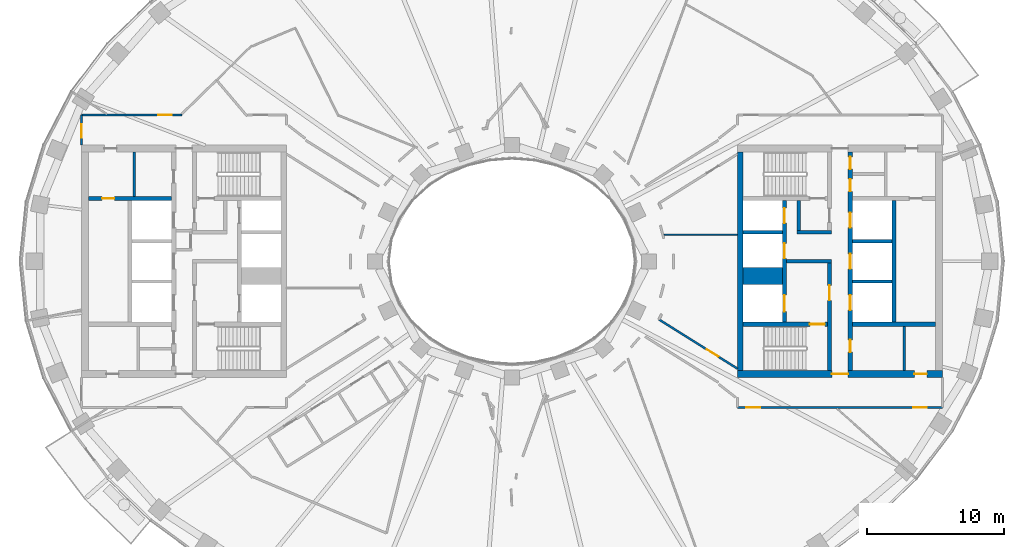
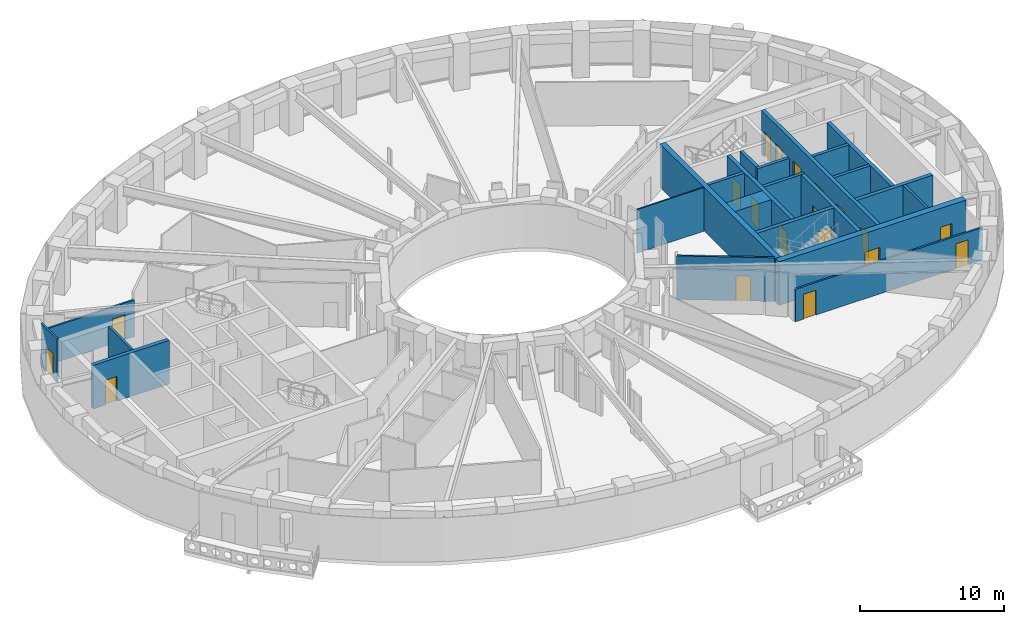
# One storey, part 5 of 16: 23 walls, 19 doors, 19 openings.
"""IFC4 building model written with IfcOpenShell, lengths in metres."""

from ifc_helpers import new_model, si_unit, direction, frame, frame_2d, origin, place, context, subcontext, project, spatial, rectangle, extrude, material, layer, layer_set, type_object, element, fill, save


model = new_model("IFC4")

# Units and contexts
model_context = context("Model", 3, precision=1e-05, world=origin(), true_north=direction((0.0, 1.0)))
body_context = subcontext(model_context, "Body", "Model", "MODEL_VIEW")
ifc_project = project(units=[si_unit("LENGTHUNIT", "METRE"), si_unit("AREAUNIT", "SQUARE_METRE"), si_unit("VOLUMEUNIT", "CUBIC_METRE"), si_unit("PLANEANGLEUNIT", "RADIAN"), si_unit("MASSUNIT", "GRAM", prefix="KILO")], contexts=[model_context])

# Site, building, storey
site_placement = place(None, origin())
site = spatial("IfcSite", under=ifc_project, at=site_placement, CompositionType="ELEMENT")
building_placement = place(site_placement, origin())
building = spatial("IfcBuilding", under=site, at=building_placement, Name="Noorbagh Ring Tower", CompositionType="ELEMENT")
storey_placement = place(building_placement, frame((0.0, 0.0, 150.0)))
storey = spatial("IfcBuildingStorey", under=building, at=storey_placement, Name="L34", CompositionType="ELEMENT", Elevation=150.0)

# Walls
ifc_material_1 = material(Name="Gypsum board on steel studs", Category="steel")
ifc_layer_1 = layer(ifc_material_1, 0.199951171875)
ifc_layer_set_1 = layer_set([ifc_layer_1], Name="Gypsum board on steel studs")
wall_type_1 = type_object("IfcWallType", Name="CORE-PARTITION-200", PredefinedType="PARTITIONING", material=ifc_layer_set_1)
for number, where, z_axis, x_axis, name in (
    (1, (-27.64990234375, 4.75, 0.0), (0.0, 0.0, 1.0), (0.0, 1.0, 0.0), "Core partition W"),
    (2, (28.699951171875, -8.0, 0.0), (0.0, 0.0, 1.0), (0.0, 1.0, 0.0), "Core partition E"),
):
    element("IfcWall", number, at=place(storey_placement, frame(where, z_axis=z_axis, x_axis=x_axis)), inside=storey, type_object=wall_type_1, Name=name, PredefinedType="PARTITIONING", context=body_context, shape_type="SweptSolid", body=[
        extrude(rectangle(XDim=3.25, YDim=0.199951171875, at=frame_2d((1.625, 0.0))), origin(), (0.0, 0.0, 1.0), 3.699951171875),
    ])
ifc_material_2 = material(Name="Concrete C60/75", Category="concrete")
ifc_layer_2 = layer(ifc_material_2, 1.25)
ifc_layer_set_2 = layer_set([ifc_layer_2], Name="Concrete C60/75")
wall_type_2 = type_object("IfcWallType", Name="CORE-WALL-1250-C60-75-EI120", PredefinedType="SHEAR", material=ifc_layer_set_2)
wall_1_placement = place(storey_placement, frame((16.89990234375, -1.074951171875, 0.0), z_axis=(0.0, 0.0, 1.0), x_axis=(1.0, 0.0, 0.0)))
element("IfcWall", 3, at=wall_1_placement, inside=storey, type_object=wall_type_2, Name="Core wall E", PredefinedType="SHEAR", context=body_context, shape_type="SweptSolid", body=[
    extrude(rectangle(XDim=2.900146484375, YDim=1.25, at=frame_2d((1.4501953125, 0.0))), origin(), (0.0, 0.0, 1.0), 3.699951171875),
])
ifc_material_3 = material(Name="Concrete C60/75", Category="concrete")
ifc_layer_3 = layer(ifc_material_3, 0.25)
ifc_layer_set_3 = layer_set([ifc_layer_3], Name="Concrete C60/75")
wall_type_3 = type_object("IfcWallType", Name="CORE-WALL-250-C60-75-EI120", PredefinedType="SHEAR", material=ifc_layer_set_3)
for number, where, z_axis, x_axis, name in (
    (4, (16.89990234375, 2.125, 0.0), (0.0, 0.0, 1.0), (1.0, 0.0, 0.0), "Core wall E"),
    (5, (24.89990234375, -1.47509765625, 0.0), (0.0, 0.0, 1.0), (1.0, 0.0, 0.0), "Core wall E"),
    (6, (24.89990234375, 1.47509765625, 0.0), (0.0, 0.0, 1.0), (1.0, 0.0, 0.0), "Core wall E"),
):
    element("IfcWall", number, at=place(storey_placement, frame(where, z_axis=z_axis, x_axis=x_axis)), inside=storey, type_object=wall_type_3, Name=name, PredefinedType="SHEAR", context=body_context, shape_type="SweptSolid", body=[
        extrude(rectangle(XDim=2.900146484375, YDim=0.25, at=frame_2d((1.4501953125, 0.0))), origin(), (0.0, 0.0, 1.0), 3.699951171875),
    ])
ifc_material_4 = material(Name="Concrete C60/75", Category="concrete")
ifc_layer_4 = layer(ifc_material_4, 0.25)
ifc_layer_set_4 = layer_set([ifc_layer_4], Name="Concrete C60/75")
wall_type_4 = type_object("IfcWallType", Name="CORE-WALL-250-C60-75-EI240", PredefinedType="SHEAR", material=ifc_layer_set_4)
wall_2_placement = place(storey_placement, frame((20.10009765625, 0.0, 0.0), z_axis=(0.0, 0.0, 1.0), x_axis=(1.0, 0.0, 0.0)))
element("IfcWall", 7, at=wall_2_placement, inside=storey, type_object=wall_type_4, Name="Core wall E", PredefinedType="SHEAR", context=body_context, shape_type="SweptSolid", body=[
    extrude(rectangle(XDim=3.27978515625, YDim=0.25, at=frame_2d((1.639892578125, 0.0))), origin(), (0.0, 0.0, 1.0), 3.699951171875),
])
wall_3_placement = place(storey_placement, frame((20.85009765625, 2.125, 0.0), z_axis=(0.0, 0.0, 1.0), x_axis=(1.0, 0.0, 0.0)))
element("IfcWall", 8, at=wall_3_placement, inside=storey, type_object=wall_type_4, Name="Core wall E", PredefinedType="SHEAR", context=body_context, shape_type="SweptSolid", body=[
    extrude(rectangle(XDim=2.52978515625, YDim=0.25, at=frame_2d((1.264892578125, 0.0))), origin(), (0.0, 0.0, 1.0), 3.699951171875),
])
wall_4_placement = place(storey_placement, frame((20.97509765625, 2.25, 0.0), z_axis=(0.0, 0.0, 1.0), x_axis=(0.0, 1.0, 0.0)))
element("IfcWall", 9, at=wall_4_placement, inside=storey, type_object=wall_type_4, Name="Core wall E", PredefinedType="SHEAR", context=body_context, shape_type="SweptSolid", body=[
    extrude(rectangle(XDim=2.199951171875, YDim=0.25, at=frame_2d((1.10009765625, 0.0))), origin(), (0.0, 0.0, 1.0), 3.699951171875),
])
ifc_material_5 = material(Name="Concrete C60/75", Category="concrete")
ifc_layer_5 = layer(ifc_material_5, 0.300048828125)
ifc_layer_set_5 = layer_set([ifc_layer_5], Name="Concrete C60/75")
wall_type_5 = type_object("IfcWallType", Name="CORE-WALL-300-C60-75-EI120", PredefinedType="SHEAR", material=ifc_layer_set_5)
wall_5_placement = place(storey_placement, frame((27.949951171875, -4.449951171875, 0.0), z_axis=(0.0, 0.0, 1.0), x_axis=(0.0, 1.0, 0.0)))
element("IfcWall", 10, at=wall_5_placement, inside=storey, type_object=wall_type_5, Name="Core wall E", PredefinedType="SHEAR", context=body_context, shape_type="SweptSolid", body=[
    extrude(rectangle(XDim=8.89990234375, YDim=0.300048828125, at=frame_2d((4.449951171875, 0.0))), origin(), (0.0, 0.0, 1.0), 3.699951171875),
])

# Wall, openings, doors
wall_6_placement = place(storey_placement, frame((19.949951171875, -4.449951171875, 0.0), z_axis=(0.0, 0.0, 1.0), x_axis=(0.0, 1.0, 0.0)))
wall_6 = element("IfcWall", 11, at=wall_6_placement, inside=storey, type_object=wall_type_5, Name="Core wall E", PredefinedType="SHEAR", context=body_context, shape_type="SweptSolid", body=[
    extrude(rectangle(XDim=8.89990234375, YDim=0.300048828125, at=frame_2d((4.449951171875, 0.0))), origin(), (0.0, 0.0, 1.0), 3.699951171875),
])
opening_1_placement = place(wall_6_placement, frame((0.77490234375, 0.0, 0.0)))
opening_1 = element("IfcOpeningElement", 12, at=opening_1_placement, cuts=wall_6, Name="Opening L34-CE01", PredefinedType="OPENING", context=body_context, shape_type="SweptSolid", body=[
    extrude(rectangle(XDim=1.199951171875, YDim=2.10009765625, at=frame_2d((0.60009765625, 1.050048828125))), frame((0.0, 0.16015625, 0.0), z_axis=(0.0, -1.0, 0.0), x_axis=(1.0, 0.0, 0.0)), (0.0, 0.0, 1.0), 0.320068359375),
])
opening_2_placement = place(wall_6_placement, frame((4.675048828125, 0.0, 0.0)))
opening_2 = element("IfcOpeningElement", 13, at=opening_2_placement, cuts=wall_6, Name="Opening L34-CE02", PredefinedType="OPENING", context=body_context, shape_type="SweptSolid", body=[
    extrude(rectangle(XDim=1.10009765625, YDim=2.10009765625, at=frame_2d((0.550048828125, 1.050048828125))), frame((0.0, 0.16015625, 0.0), z_axis=(0.0, -1.0, 0.0), x_axis=(1.0, 0.0, 0.0)), (0.0, 0.0, 1.0), 0.320068359375),
])
opening_3_placement = place(wall_6_placement, frame((7.25, 0.0, 0.0)))
opening_3 = element("IfcOpeningElement", 14, at=opening_3_placement, cuts=wall_6, Name="Opening L34-CE03", PredefinedType="OPENING", context=body_context, shape_type="SweptSolid", body=[
    extrude(rectangle(XDim=1.10009765625, YDim=2.10009765625, at=frame_2d((0.550048828125, 1.050048828125))), frame((0.0, 0.16015625, 0.0), z_axis=(0.0, -1.0, 0.0), x_axis=(1.0, 0.0, 0.0)), (0.0, 0.0, 1.0), 0.320068359375),
])
ifc_material_6 = material(Name="Steel door leaf", Category="steel")
door_type_1 = type_object("IfcDoorType", Name="CORE-DOOR-LD", OperationType="DOUBLE_DOOR_SLIDING", PredefinedType="DOOR", material=ifc_material_6)
door_1_placement = place(opening_2_placement, origin())
door_1 = element("IfcDoor", 15, at=door_1_placement, inside=storey, type_object=door_type_1, Name="Landing door HR7 L34-CE02", OperationType="DOUBLE_DOOR_SLIDING", OverallHeight=2.10009765625, OverallWidth=1.10009765625, PredefinedType="DOOR", context=body_context, shape_type="SweptSolid", body=[
    extrude(rectangle(XDim=1.10009765625, YDim=2.10009765625, at=frame_2d((0.550048828125, 1.050048828125))), frame((0.0, 0.02490234375, 0.0), z_axis=(0.0, -1.0, 0.0), x_axis=(1.0, 0.0, 0.0)), (0.0, 0.0, 1.0), 0.050048828125),
])
fill(opening_2, door_1)
door_2_placement = place(opening_3_placement, origin())
door_2 = element("IfcDoor", 16, at=door_2_placement, inside=storey, type_object=door_type_1, Name="Landing door HR8 L34-CE03", OperationType="DOUBLE_DOOR_SLIDING", OverallHeight=2.10009765625, OverallWidth=1.10009765625, PredefinedType="DOOR", context=body_context, shape_type="SweptSolid", body=[
    extrude(rectangle(XDim=1.10009765625, YDim=2.10009765625, at=frame_2d((0.550048828125, 1.050048828125))), frame((0.0, 0.02490234375, 0.0), z_axis=(0.0, -1.0, 0.0), x_axis=(1.0, 0.0, 0.0)), (0.0, 0.0, 1.0), 0.050048828125),
])
fill(opening_3, door_2)
ifc_material_7 = material(Name="Steel door leaf", Category="steel")
door_type_2 = type_object("IfcDoorType", Name="CORE-DOOR-LDW", OperationType="DOUBLE_DOOR_SLIDING", PredefinedType="DOOR", material=ifc_material_7)
door_3_placement = place(opening_1_placement, origin())
door_3 = element("IfcDoor", 17, at=door_3_placement, inside=storey, type_object=door_type_2, Name="Landing door FF2 L34-CE01", OperationType="DOUBLE_DOOR_SLIDING", OverallHeight=2.10009765625, OverallWidth=1.199951171875, PredefinedType="DOOR", context=body_context, shape_type="SweptSolid", body=[
    extrude(rectangle(XDim=1.199951171875, YDim=2.10009765625, at=frame_2d((0.60009765625, 1.050048828125))), frame((0.0, 0.02490234375, 0.0), z_axis=(0.0, -1.0, 0.0), x_axis=(1.0, 0.0, 0.0)), (0.0, 0.0, 1.0), 0.050048828125),
])
fill(opening_1, door_3)

wall_7_placement = place(storey_placement, frame((24.75, -8.0, 0.0), z_axis=(0.0, 0.0, 1.0), x_axis=(0.0, 1.0, 0.0)))
wall_7 = element("IfcWall", 18, at=wall_7_placement, inside=storey, type_object=wall_type_5, Name="Core wall E", PredefinedType="SHEAR", context=body_context, shape_type="SweptSolid", body=[
    extrude(rectangle(XDim=16.0, YDim=0.300048828125, at=frame_2d((8.0, 0.0))), origin(), (0.0, 0.0, 1.0), 3.699951171875),
])
opening_4_placement = place(wall_7_placement, frame((4.425048828125, 0.0, 0.0)))
opening_4 = element("IfcOpeningElement", 19, at=opening_4_placement, cuts=wall_7, Name="Opening L34-CE04", PredefinedType="OPENING", context=body_context, shape_type="SweptSolid", body=[
    extrude(rectangle(XDim=1.10009765625, YDim=2.10009765625, at=frame_2d((0.550048828125, 1.050048828125))), frame((0.0, 0.16015625, 0.0), z_axis=(0.0, -1.0, 0.0), x_axis=(1.0, 0.0, 0.0)), (0.0, 0.0, 1.0), 0.320068359375),
])
opening_5_placement = place(wall_7_placement, frame((7.449951171875, 0.0, 0.0)))
opening_5 = element("IfcOpeningElement", 20, at=opening_5_placement, cuts=wall_7, Name="Opening L34-CE05", PredefinedType="OPENING", context=body_context, shape_type="SweptSolid", body=[
    extrude(rectangle(XDim=1.10009765625, YDim=2.10009765625, at=frame_2d((0.550048828125, 1.050048828125))), frame((0.0, 0.16015625, 0.0), z_axis=(0.0, -1.0, 0.0), x_axis=(1.0, 0.0, 0.0)), (0.0, 0.0, 1.0), 0.320068359375),
])
opening_6_placement = place(wall_7_placement, frame((10.47509765625, 0.0, 0.0)))
opening_6 = element("IfcOpeningElement", 21, at=opening_6_placement, cuts=wall_7, Name="Opening L34-CE06", PredefinedType="OPENING", context=body_context, shape_type="SweptSolid", body=[
    extrude(rectangle(XDim=1.10009765625, YDim=2.10009765625, at=frame_2d((0.550048828125, 1.050048828125))), frame((0.0, 0.16015625, 0.0), z_axis=(0.0, -1.0, 0.0), x_axis=(1.0, 0.0, 0.0)), (0.0, 0.0, 1.0), 0.320068359375),
])
opening_7_placement = place(wall_7_placement, frame((13.125, 0.0, 0.0)))
opening_7 = element("IfcOpeningElement", 22, at=opening_7_placement, cuts=wall_7, Name="Opening L34-CE13", PredefinedType="OPENING", context=body_context, shape_type="SweptSolid", body=[
    extrude(rectangle(XDim=0.89990234375, YDim=2.10009765625, at=frame_2d((0.449951171875, 1.050048828125))), frame((0.0, 0.16015625, 0.0), z_axis=(0.0, -1.0, 0.0), x_axis=(1.0, 0.0, 0.0)), (0.0, 0.0, 1.0), 0.320068359375),
])
opening_8_placement = place(wall_7_placement, frame((14.75, 0.0, 0.0)))
opening_8 = element("IfcOpeningElement", 23, at=opening_8_placement, cuts=wall_7, Name="Opening L34-CE14", PredefinedType="OPENING", context=body_context, shape_type="SweptSolid", body=[
    extrude(rectangle(XDim=0.89990234375, YDim=2.10009765625, at=frame_2d((0.449951171875, 1.050048828125))), frame((0.0, 0.16015625, 0.0), z_axis=(0.0, -1.0, 0.0), x_axis=(1.0, 0.0, 0.0)), (0.0, 0.0, 1.0), 0.320068359375),
])
opening_9_placement = place(wall_7_placement, frame((1.35009765625, 0.0, 0.0)))
opening_9 = element("IfcOpeningElement", 24, at=opening_9_placement, cuts=wall_7, Name="Opening L34-CE16", PredefinedType="OPENING", context=body_context, shape_type="SweptSolid", body=[
    extrude(rectangle(XDim=0.89990234375, YDim=2.10009765625, at=frame_2d((0.449951171875, 1.050048828125))), frame((0.0, 0.16015625, 0.0), z_axis=(0.0, -1.0, 0.0), x_axis=(1.0, 0.0, 0.0)), (0.0, 0.0, 1.0), 0.320068359375),
])
ifc_material_8 = material(Name="Steel door leaf", Category="steel")
door_type_3 = type_object("IfcDoorType", Name="CORE-DOOR-DROOM", OperationType="SINGLE_SWING_LEFT", PredefinedType="DOOR", material=ifc_material_8)
door_4_placement = place(opening_7_placement, origin())
door_4 = element("IfcDoor", 25, at=door_4_placement, inside=storey, type_object=door_type_3, Name="Core room door L34-CE13", OperationType="SINGLE_SWING_RIGHT", OverallHeight=2.10009765625, OverallWidth=0.89990234375, PredefinedType="DOOR", context=body_context, shape_type="SweptSolid", body=[
    extrude(rectangle(XDim=0.89990234375, YDim=2.10009765625, at=frame_2d((0.449951171875, 1.050048828125))), frame((0.0, 0.02490234375, 0.0), z_axis=(0.0, -1.0, 0.0), x_axis=(1.0, 0.0, 0.0)), (0.0, 0.0, 1.0), 0.050048828125),
])
fill(opening_7, door_4)
door_5_placement = place(opening_8_placement, origin())
door_5 = element("IfcDoor", 26, at=door_5_placement, inside=storey, type_object=door_type_3, Name="Core room door L34-CE14", OperationType="SINGLE_SWING_LEFT", OverallHeight=2.10009765625, OverallWidth=0.89990234375, PredefinedType="DOOR", context=body_context, shape_type="SweptSolid", body=[
    extrude(rectangle(XDim=0.89990234375, YDim=2.10009765625, at=frame_2d((0.449951171875, 1.050048828125))), frame((0.0, 0.02490234375, 0.0), z_axis=(0.0, -1.0, 0.0), x_axis=(1.0, 0.0, 0.0)), (0.0, 0.0, 1.0), 0.050048828125),
])
fill(opening_8, door_5)
door_6_placement = place(opening_9_placement, origin())
door_6 = element("IfcDoor", 27, at=door_6_placement, inside=storey, type_object=door_type_3, Name="Core room door L34-CE16", OperationType="SINGLE_SWING_RIGHT", OverallHeight=2.10009765625, OverallWidth=0.89990234375, PredefinedType="DOOR", context=body_context, shape_type="SweptSolid", body=[
    extrude(rectangle(XDim=0.89990234375, YDim=2.10009765625, at=frame_2d((0.449951171875, 1.050048828125))), frame((0.0, 0.02490234375, 0.0), z_axis=(0.0, -1.0, 0.0), x_axis=(1.0, 0.0, 0.0)), (0.0, 0.0, 1.0), 0.050048828125),
])
fill(opening_9, door_6)
door_7_placement = place(opening_4_placement, origin())
door_7 = element("IfcDoor", 28, at=door_7_placement, inside=storey, type_object=door_type_1, Name="Landing door HR9 L34-CE04", OperationType="DOUBLE_DOOR_SLIDING", OverallHeight=2.10009765625, OverallWidth=1.10009765625, PredefinedType="DOOR", context=body_context, shape_type="SweptSolid", body=[
    extrude(rectangle(XDim=1.10009765625, YDim=2.10009765625, at=frame_2d((0.550048828125, 1.050048828125))), frame((0.0, 0.02490234375, 0.0), z_axis=(0.0, -1.0, 0.0), x_axis=(1.0, 0.0, 0.0)), (0.0, 0.0, 1.0), 0.050048828125),
])
fill(opening_4, door_7)
door_8_placement = place(opening_5_placement, origin())
door_8 = element("IfcDoor", 29, at=door_8_placement, inside=storey, type_object=door_type_1, Name="Landing door HR10 L34-CE05", OperationType="DOUBLE_DOOR_SLIDING", OverallHeight=2.10009765625, OverallWidth=1.10009765625, PredefinedType="DOOR", context=body_context, shape_type="SweptSolid", body=[
    extrude(rectangle(XDim=1.10009765625, YDim=2.10009765625, at=frame_2d((0.550048828125, 1.050048828125))), frame((0.0, 0.02490234375, 0.0), z_axis=(0.0, -1.0, 0.0), x_axis=(1.0, 0.0, 0.0)), (0.0, 0.0, 1.0), 0.050048828125),
])
fill(opening_5, door_8)
door_9_placement = place(opening_6_placement, origin())
door_9 = element("IfcDoor", 30, at=door_9_placement, inside=storey, type_object=door_type_1, Name="Landing door HR11 L34-CE06", OperationType="DOUBLE_DOOR_SLIDING", OverallHeight=2.10009765625, OverallWidth=1.10009765625, PredefinedType="DOOR", context=body_context, shape_type="SweptSolid", body=[
    extrude(rectangle(XDim=1.10009765625, YDim=2.10009765625, at=frame_2d((0.550048828125, 1.050048828125))), frame((0.0, 0.02490234375, 0.0), z_axis=(0.0, -1.0, 0.0), x_axis=(1.0, 0.0, 0.0)), (0.0, 0.0, 1.0), 0.050048828125),
])
fill(opening_6, door_9)

# Wall, opening, door
ifc_material_9 = material(Name="Concrete C60/75", Category="concrete")
ifc_layer_6 = layer(ifc_material_9, 0.300048828125)
ifc_layer_set_6 = layer_set([ifc_layer_6], Name="Concrete C60/75")
wall_type_6 = type_object("IfcWallType", Name="CORE-WALL-300-C60-75-EI240", PredefinedType="SHEAR", material=ifc_layer_set_6)
wall_8_placement = place(storey_placement, frame((-24.89990234375, 4.60009765625, 0.0), z_axis=(0.0, 0.0, 1.0), x_axis=(-1.0, 0.0, 0.0)))
wall_8 = element("IfcWall", 31, at=wall_8_placement, inside=storey, type_object=wall_type_6, Name="Core wall W", PredefinedType="SHEAR", context=body_context, shape_type="SweptSolid", body=[
    extrude(rectangle(XDim=6.10009765625, YDim=0.300048828125, at=frame_2d((3.050048828125, 0.0))), origin(), (0.0, 0.0, 1.0), 3.699951171875),
])
opening_10_placement = place(wall_8_placement, frame((4.199951171875, 0.0, 0.0)))
opening_10 = element("IfcOpeningElement", 32, at=opening_10_placement, cuts=wall_8, Name="Opening L34-CW18", PredefinedType="OPENING", context=body_context, shape_type="SweptSolid", body=[
    extrude(rectangle(XDim=0.89990234375, YDim=2.10009765625, at=frame_2d((0.449951171875, 1.050048828125))), frame((0.0, 0.16015625, 0.0), z_axis=(0.0, -1.0, 0.0), x_axis=(1.0, 0.0, 0.0)), (0.0, 0.0, 1.0), 0.320068359375),
])
door_10_placement = place(opening_10_placement, origin())
door_10 = element("IfcDoor", 33, at=door_10_placement, inside=storey, type_object=door_type_3, Name="Core room door L34-CW18", OperationType="SINGLE_SWING_LEFT", OverallHeight=2.10009765625, OverallWidth=0.89990234375, PredefinedType="DOOR", context=body_context, shape_type="SweptSolid", body=[
    extrude(rectangle(XDim=0.89990234375, YDim=2.10009765625, at=frame_2d((0.449951171875, 1.050048828125))), frame((0.0, 0.02490234375, 0.0), z_axis=(0.0, -1.0, 0.0), x_axis=(1.0, 0.0, 0.0)), (0.0, 0.0, 1.0), 0.050048828125),
])
fill(opening_10, door_10)

# Wall
wall_9_placement = place(storey_placement, frame((24.89990234375, -4.60009765625, 0.0), z_axis=(0.0, 0.0, 1.0), x_axis=(1.0, 0.0, 0.0)))
element("IfcWall", 34, at=wall_9_placement, inside=storey, type_object=wall_type_6, Name="Core wall E", PredefinedType="SHEAR", context=body_context, shape_type="SweptSolid", body=[
    extrude(rectangle(XDim=6.10009765625, YDim=0.300048828125, at=frame_2d((3.050048828125, 0.0))), origin(), (0.0, 0.0, 1.0), 3.699951171875),
])

# Wall, opening, door
wall_10_placement = place(storey_placement, frame((23.22998046875, -8.0, 0.0), z_axis=(0.0, 0.0, 1.0), x_axis=(0.0, 1.0, 0.0)))
wall_10 = element("IfcWall", 35, at=wall_10_placement, inside=storey, type_object=wall_type_6, Name="Core wall E", PredefinedType="SHEAR", context=body_context, shape_type="SweptSolid", body=[
    extrude(rectangle(XDim=7.875, YDim=0.300048828125, at=frame_2d((3.9375, 0.0))), origin(), (0.0, 0.0, 1.0), 3.699951171875),
])
opening_11_placement = place(wall_10_placement, frame((5.14990234375, 0.0, 0.0)))
opening_11 = element("IfcOpeningElement", 36, at=opening_11_placement, cuts=wall_10, Name="Opening L34-CE09", PredefinedType="OPENING", context=body_context, shape_type="SweptSolid", body=[
    extrude(rectangle(XDim=1.10009765625, YDim=2.10009765625, at=frame_2d((0.550048828125, 1.050048828125))), frame((0.0, 0.16015625, 0.0), z_axis=(0.0, -1.0, 0.0), x_axis=(1.0, 0.0, 0.0)), (0.0, 0.0, 1.0), 0.320068359375),
])
ifc_material_10 = material(Name="Steel door leaf", Category="steel")
door_type_4 = type_object("IfcDoorType", Name="CORE-DOOR-DFF", OperationType="SINGLE_SWING_LEFT", PredefinedType="DOOR", material=ifc_material_10)
door_11_placement = place(opening_11_placement, origin())
door_11 = element("IfcDoor", 37, at=door_11_placement, inside=storey, type_object=door_type_4, Name="Firefighting lobby door L34-CE09", OperationType="SINGLE_SWING_RIGHT", OverallHeight=2.10009765625, OverallWidth=1.10009765625, PredefinedType="DOOR", context=body_context, shape_type="SweptSolid", body=[
    extrude(rectangle(XDim=1.10009765625, YDim=2.10009765625, at=frame_2d((0.550048828125, 1.050048828125))), frame((0.0, 0.02490234375, 0.0), z_axis=(0.0, -1.0, 0.0), x_axis=(1.0, 0.0, 0.0)), (0.0, 0.0, 1.0), 0.050048828125),
])
fill(opening_11, door_11)

wall_11_placement = place(storey_placement, frame((16.89990234375, -4.60009765625, 0.0), z_axis=(0.0, 0.0, 1.0), x_axis=(1.0, 0.0, 0.0)))
wall_11 = element("IfcWall", 38, at=wall_11_placement, inside=storey, type_object=wall_type_6, Name="Core wall E", PredefinedType="SHEAR", context=body_context, shape_type="SweptSolid", body=[
    extrude(rectangle(XDim=6.18017578125, YDim=0.300048828125, at=frame_2d((3.090087890625, 0.0))), origin(), (0.0, 0.0, 1.0), 3.699951171875),
])
opening_12_placement = place(wall_11_placement, frame((4.89990234375, 0.0, 0.0)))
opening_12 = element("IfcOpeningElement", 39, at=opening_12_placement, cuts=wall_11, Name="Opening L34-CE08", PredefinedType="OPENING", context=body_context, shape_type="SweptSolid", body=[
    extrude(rectangle(XDim=1.10009765625, YDim=2.10009765625, at=frame_2d((0.550048828125, 1.050048828125))), frame((0.0, 0.16015625, 0.0), z_axis=(0.0, -1.0, 0.0), x_axis=(1.0, 0.0, 0.0)), (0.0, 0.0, 1.0), 0.320068359375),
])
ifc_material_11 = material(Name="Steel door leaf", Category="steel")
door_type_5 = type_object("IfcDoorType", Name="CORE-DOOR-DSTAIR", OperationType="SINGLE_SWING_LEFT", PredefinedType="DOOR", material=ifc_material_11)
door_12_placement = place(opening_12_placement, origin())
door_12 = element("IfcDoor", 40, at=door_12_placement, inside=storey, type_object=door_type_5, Name="Stair door ST4 L34-CE08", OperationType="SINGLE_SWING_RIGHT", OverallHeight=2.10009765625, OverallWidth=1.10009765625, PredefinedType="DOOR", context=body_context, shape_type="SweptSolid", body=[
    extrude(rectangle(XDim=1.10009765625, YDim=2.10009765625, at=frame_2d((0.550048828125, 1.050048828125))), frame((0.0, 0.02490234375, 0.0), z_axis=(0.0, -1.0, 0.0), x_axis=(1.0, 0.0, 0.0)), (0.0, 0.0, 1.0), 0.050048828125),
])
fill(opening_12, door_12)

# Wall
ifc_material_12 = material(Name="Concrete C60/75", Category="concrete")
ifc_layer_7 = layer(ifc_material_12, 0.39990234375)
ifc_layer_set_7 = layer_set([ifc_layer_7], Name="Concrete C60/75")
wall_type_7 = type_object("IfcWallType", Name="CORE-WALL-400-C60-75-EI240", PredefinedType="SHEAR", material=ifc_layer_set_7)
wall_12_placement = place(storey_placement, frame((16.699951171875, -8.0, 0.0), z_axis=(0.0, 0.0, 1.0), x_axis=(0.0, 1.0, 0.0)))
element("IfcWall", 41, at=wall_12_placement, inside=storey, type_object=wall_type_7, Name="Core wall E", PredefinedType="SHEAR", context=body_context, shape_type="SweptSolid", body=[
    extrude(rectangle(XDim=16.0, YDim=0.39990234375, at=frame_2d((8.0, 0.0))), origin(), (0.0, 0.0, 1.0), 3.699951171875),
])

# Wall, openings, doors
ifc_material_13 = material(Name="Concrete C60/75", Category="concrete")
ifc_layer_8 = layer(ifc_material_13, 0.5)
ifc_layer_set_8 = layer_set([ifc_layer_8], Name="Concrete C60/75")
wall_type_8 = type_object("IfcWallType", Name="CORE-WALL-500-C60-75-EI240", PredefinedType="SHEAR", material=ifc_layer_set_8)
wall_13_placement = place(storey_placement, frame((16.5, -8.25, 0.0), z_axis=(0.0, 0.0, 1.0), x_axis=(1.0, 0.0, 0.0)))
wall_13 = element("IfcWall", 42, at=wall_13_placement, inside=storey, type_object=wall_type_8, Name="Core wall E", PredefinedType="SHEAR", context=body_context, shape_type="SweptSolid", body=[
    extrude(rectangle(XDim=15.0, YDim=0.5, at=frame_2d((7.5, 0.0))), origin(), (0.0, 0.0, 1.0), 3.699951171875),
])
opening_13_placement = place(wall_13_placement, frame((6.89990234375, 0.0, 0.0)))
opening_13 = element("IfcOpeningElement", 43, at=opening_13_placement, cuts=wall_13, Name="Opening L34-CE12", PredefinedType="OPENING", context=body_context, shape_type="SweptSolid", body=[
    extrude(rectangle(XDim=1.199951171875, YDim=2.10009765625, at=frame_2d((0.60009765625, 1.050048828125))), frame((0.0, 0.260009765625, 0.0), z_axis=(0.0, -1.0, 0.0), x_axis=(1.0, 0.0, 0.0)), (0.0, 0.0, 1.0), 0.52001953125),
])
opening_14_placement = place(wall_13_placement, frame((12.949951171875, 0.0, 0.0)))
opening_14 = element("IfcOpeningElement", 44, at=opening_14_placement, cuts=wall_13, Name="Opening L34-CE17", PredefinedType="OPENING", context=body_context, shape_type="SweptSolid", body=[
    extrude(rectangle(XDim=0.89990234375, YDim=2.10009765625, at=frame_2d((0.449951171875, 1.050048828125))), frame((0.0, 0.260009765625, 0.0), z_axis=(0.0, -1.0, 0.0), x_axis=(1.0, 0.0, 0.0)), (0.0, 0.0, 1.0), 0.52001953125),
])
door_13_placement = place(opening_14_placement, origin())
door_13 = element("IfcDoor", 45, at=door_13_placement, inside=storey, type_object=door_type_3, Name="Core room door L34-CE17", OperationType="SINGLE_SWING_RIGHT", OverallHeight=2.10009765625, OverallWidth=0.89990234375, PredefinedType="DOOR", context=body_context, shape_type="SweptSolid", body=[
    extrude(rectangle(XDim=0.89990234375, YDim=2.10009765625, at=frame_2d((0.449951171875, 1.050048828125))), frame((0.0, 0.02490234375, 0.0), z_axis=(0.0, -1.0, 0.0), x_axis=(1.0, 0.0, 0.0)), (0.0, 0.0, 1.0), 0.050048828125),
])
fill(opening_14, door_13)
ifc_material_14 = material(Name="Steel door leaf", Category="steel")
door_type_6 = type_object("IfcDoorType", Name="CORE-DOOR-PORT", OperationType="DOUBLE_DOOR_DOUBLE_SWING", PredefinedType="DOOR", material=ifc_material_14)
door_14_placement = place(opening_13_placement, origin())
door_14 = element("IfcDoor", 46, at=door_14_placement, inside=storey, type_object=door_type_6, Name="Core entrance door L34-CE12", OperationType="DOUBLE_DOOR_DOUBLE_SWING", OverallHeight=2.10009765625, OverallWidth=1.199951171875, PredefinedType="DOOR", context=body_context, shape_type="SweptSolid", body=[
    extrude(rectangle(XDim=1.199951171875, YDim=2.10009765625, at=frame_2d((0.60009765625, 1.050048828125))), frame((0.0, 0.02490234375, 0.0), z_axis=(0.0, -1.0, 0.0), x_axis=(1.0, 0.0, 0.0)), (0.0, 0.0, 1.0), 0.050048828125),
])
fill(opening_13, door_14)

# Wall, opening, door
ifc_material_15 = material(Name="Gypsum board on steel studs", Category="steel")
ifc_layer_9 = layer(ifc_material_15, 0.14990234375)
ifc_layer_set_9 = layer_set([ifc_layer_9], Name="Gypsum board on steel studs")
wall_type_9 = type_object("IfcWallType", Name="CORRIDOR PARTITION 150 EI 30", PredefinedType="PARTITIONING", material=ifc_layer_set_9)
wall_14_placement = place(storey_placement, frame((-31.5, 8.5, 0.0), z_axis=(0.0, 0.0, 1.0), x_axis=(0.0, 1.0, 0.0)))
wall_14 = element("IfcWall", 47, at=wall_14_placement, inside=storey, type_object=wall_type_9, Name="L34/wall/P06", PredefinedType="PARTITIONING", context=body_context, shape_type="SweptSolid", body=[
    extrude(rectangle(XDim=2.199951171875, YDim=0.14990234375, at=frame_2d((1.10009765625, 0.0))), origin(), (0.0, 0.0, 1.0), 3.699951171875),
])
opening_15_placement = place(wall_14_placement, frame((0.550048828125, 0.0, 0.0)))
opening_15 = element("IfcOpeningElement", 48, at=opening_15_placement, cuts=wall_14, Name="Opening D1", PredefinedType="OPENING", context=body_context, shape_type="SweptSolid", body=[
    extrude(rectangle(XDim=1.0, YDim=2.10009765625, at=frame_2d((0.5, 1.050048828125))), frame((0.0, 0.0849609375, 0.0), z_axis=(0.0, -1.0, 0.0), x_axis=(1.0, 0.0, 0.0)), (0.0, 0.0, 1.0), 0.169921875),
])
ifc_material_16 = material(Name="Timber, painted", Category="wood")
door_type_7 = type_object("IfcDoorType", Name="DOOR 1000 X 2100 FD30", OperationType="SINGLE_SWING_LEFT", PredefinedType="DOOR", material=ifc_material_16)
door_15_placement = place(opening_15_placement, origin())
door_15 = element("IfcDoor", 49, at=door_15_placement, inside=storey, type_object=door_type_7, Name="L34-D07", OperationType="SINGLE_SWING_LEFT", OverallHeight=2.10009765625, OverallWidth=1.0, PredefinedType="DOOR", context=body_context, shape_type="SweptSolid", body=[
    extrude(rectangle(XDim=1.0, YDim=2.10009765625, at=frame_2d((0.5, 1.050048828125))), frame((0.0, 0.02490234375, 0.0), z_axis=(0.0, -1.0, 0.0), x_axis=(1.0, 0.0, 0.0)), (0.0, 0.0, 1.0), 0.050048828125),
])
fill(opening_15, door_15)

wall_15_placement = place(storey_placement, frame((-31.5, 10.699951171875, 0.0), z_axis=(0.0, 0.0, 1.0), x_axis=(1.0, 0.0, 0.0)))
wall_15 = element("IfcWall", 50, at=wall_15_placement, inside=storey, type_object=wall_type_9, Name="L34/wall/P07", PredefinedType="PARTITIONING", context=body_context, shape_type="SweptSolid", body=[
    extrude(rectangle(XDim=7.361083984375, YDim=0.14990234375, at=frame_2d((3.6806640625, 0.0))), origin(), (0.0, 0.0, 1.0), 3.10009765625),
])
opening_16_placement = place(wall_15_placement, frame((5.60400390625, 0.0, 0.0)))
opening_16 = element("IfcOpeningElement", 51, at=opening_16_placement, cuts=wall_15, Name="Opening D1", PredefinedType="OPENING", context=body_context, shape_type="SweptSolid", body=[
    extrude(rectangle(XDim=1.0, YDim=2.10009765625, at=frame_2d((0.5, 1.050048828125))), frame((0.0, 0.0849609375, 0.0), z_axis=(0.0, -1.0, 0.0), x_axis=(1.0, 0.0, 0.0)), (0.0, 0.0, 1.0), 0.169921875),
])
door_16_placement = place(opening_16_placement, origin())
door_16 = element("IfcDoor", 52, at=door_16_placement, inside=storey, type_object=door_type_7, Name="L34-D09", OperationType="SINGLE_SWING_LEFT", OverallHeight=2.10009765625, OverallWidth=1.0, PredefinedType="DOOR", context=body_context, shape_type="SweptSolid", body=[
    extrude(rectangle(XDim=1.0, YDim=2.10009765625, at=frame_2d((0.5, 1.050048828125))), frame((0.0, 0.02490234375, 0.0), z_axis=(0.0, -1.0, 0.0), x_axis=(1.0, 0.0, 0.0)), (0.0, 0.0, 1.0), 0.050048828125),
])
fill(opening_16, door_16)

wall_16_placement = place(storey_placement, frame((10.751953125, -4.25390625, 0.0), z_axis=(0.0, 0.0, 1.0), x_axis=(0.847690706888, -0.530490777917, 0.0)))
wall_16 = element("IfcWall", 53, at=wall_16_placement, inside=storey, type_object=wall_type_9, Name="L34/wall/P83", PredefinedType="PARTITIONING", context=body_context, shape_type="SweptSolid", body=[
    extrude(rectangle(XDim=6.78076171875, YDim=0.14990234375, at=frame_2d((3.390380859375, 0.0))), origin(), (0.0, 0.0, 1.0), 3.699951171875),
])
opening_17_placement = place(wall_16_placement, frame((4.12939453125, 0.0, 0.0)))
opening_17 = element("IfcOpeningElement", 54, at=opening_17_placement, cuts=wall_16, Name="Opening D1", PredefinedType="OPENING", context=body_context, shape_type="SweptSolid", body=[
    extrude(rectangle(XDim=1.0, YDim=2.10009765625, at=frame_2d((0.5, 1.050048828125))), frame((0.0, 0.0849609375, 0.0), z_axis=(0.0, -1.0, 0.0), x_axis=(1.0, 0.0, 0.0)), (0.0, 0.0, 1.0), 0.169921875),
])
door_17_placement = place(opening_17_placement, origin())
door_17 = element("IfcDoor", 55, at=door_17_placement, inside=storey, type_object=door_type_7, Name="L34-D17", OperationType="SINGLE_SWING_LEFT", OverallHeight=2.10009765625, OverallWidth=1.0, PredefinedType="DOOR", context=body_context, shape_type="SweptSolid", body=[
    extrude(rectangle(XDim=1.0, YDim=2.10009765625, at=frame_2d((0.5, 1.050048828125))), frame((0.0, 0.02490234375, 0.0), z_axis=(0.0, -1.0, 0.0), x_axis=(1.0, 0.0, 0.0)), (0.0, 0.0, 1.0), 0.050048828125),
])
fill(opening_17, door_17)

# Wall, openings, doors
wall_17_placement = place(storey_placement, frame((16.5, -10.699951171875, 0.0), z_axis=(0.0, 0.0, 1.0), x_axis=(1.0, 0.0, 0.0)))
wall_17 = element("IfcWall", 56, at=wall_17_placement, inside=storey, type_object=wall_type_9, Name="L34/wall/P92", PredefinedType="PARTITIONING", context=body_context, shape_type="SweptSolid", body=[
    extrude(rectangle(XDim=15.0, YDim=0.14990234375, at=frame_2d((7.5, 0.0))), origin(), (0.0, 0.0, 1.0), 2.75),
])
opening_18_placement = place(wall_17_placement, frame((0.64990234375, 0.0, 0.0)))
opening_18 = element("IfcOpeningElement", 57, at=opening_18_placement, cuts=wall_17, Name="Opening D1", PredefinedType="OPENING", context=body_context, shape_type="SweptSolid", body=[
    extrude(rectangle(XDim=1.0, YDim=2.10009765625, at=frame_2d((0.5, 1.050048828125))), frame((0.0, 0.0849609375, 0.0), z_axis=(0.0, -1.0, 0.0), x_axis=(1.0, 0.0, 0.0)), (0.0, 0.0, 1.0), 0.169921875),
])
opening_19_placement = place(wall_17_placement, frame((12.846923828125, 0.0, 0.0)))
opening_19 = element("IfcOpeningElement", 58, at=opening_19_placement, cuts=wall_17, Name="Opening D1", PredefinedType="OPENING", context=body_context, shape_type="SweptSolid", body=[
    extrude(rectangle(XDim=1.0, YDim=2.10009765625, at=frame_2d((0.5, 1.050048828125))), frame((0.0, 0.0849609375, 0.0), z_axis=(0.0, -1.0, 0.0), x_axis=(1.0, 0.0, 0.0)), (0.0, 0.0, 1.0), 0.169921875),
])
door_18_placement = place(opening_18_placement, origin())
door_18 = element("IfcDoor", 59, at=door_18_placement, inside=storey, type_object=door_type_7, Name="L34-D11", OperationType="SINGLE_SWING_LEFT", OverallHeight=2.10009765625, OverallWidth=1.0, PredefinedType="DOOR", context=body_context, shape_type="SweptSolid", body=[
    extrude(rectangle(XDim=1.0, YDim=2.10009765625, at=frame_2d((0.5, 1.050048828125))), frame((0.0, 0.02490234375, 0.0), z_axis=(0.0, -1.0, 0.0), x_axis=(1.0, 0.0, 0.0)), (0.0, 0.0, 1.0), 0.050048828125),
])
fill(opening_18, door_18)
door_19_placement = place(opening_19_placement, origin())
door_19 = element("IfcDoor", 60, at=door_19_placement, inside=storey, type_object=door_type_7, Name="L34-D14", OperationType="SINGLE_SWING_RIGHT", OverallHeight=2.10009765625, OverallWidth=1.0, PredefinedType="DOOR", context=body_context, shape_type="SweptSolid", body=[
    extrude(rectangle(XDim=1.0, YDim=2.10009765625, at=frame_2d((0.5, 1.050048828125))), frame((0.0, 0.02490234375, 0.0), z_axis=(0.0, -1.0, 0.0), x_axis=(1.0, 0.0, 0.0)), (0.0, 0.0, 1.0), 0.050048828125),
])
fill(opening_19, door_19)

# Wall
ifc_material_17 = material(Name="Gypsum board on steel studs", Category="steel")
ifc_layer_10 = layer(ifc_material_17, 0.10009765625)
ifc_layer_set_10 = layer_set([ifc_layer_10], Name="Gypsum board on steel studs")
wall_type_10 = type_object("IfcWallType", Name="PARTITION 100 GYPSUM", PredefinedType="PARTITIONING", material=ifc_layer_set_10)
wall_18_placement = place(storey_placement, frame((11.115966796875, 1.951904296875, 0.0), z_axis=(0.0, 0.0, 1.0), x_axis=(1.0, 0.0, 0.0)))
element("IfcWall", 61, at=wall_18_placement, inside=storey, type_object=wall_type_10, Name="L34/wall/P88", PredefinedType="PARTITIONING", context=body_context, shape_type="SweptSolid", body=[
    extrude(rectangle(XDim=5.384033203125, YDim=0.10009765625, at=frame_2d((2.69189453125, 0.0))), origin(), (0.0, 0.0, 1.0), 3.699951171875),
])

save(model, "model.ifc")
